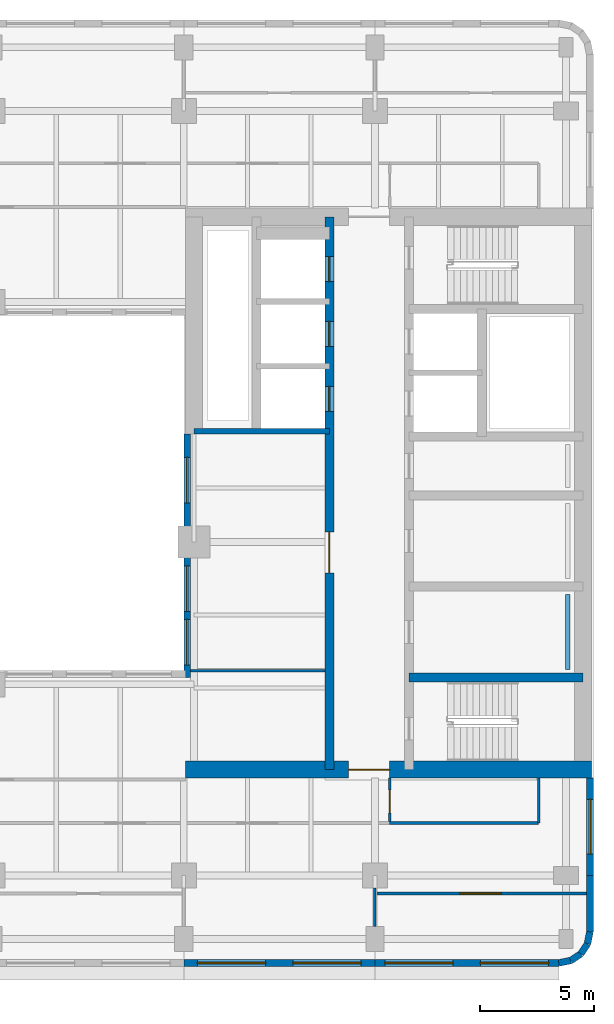
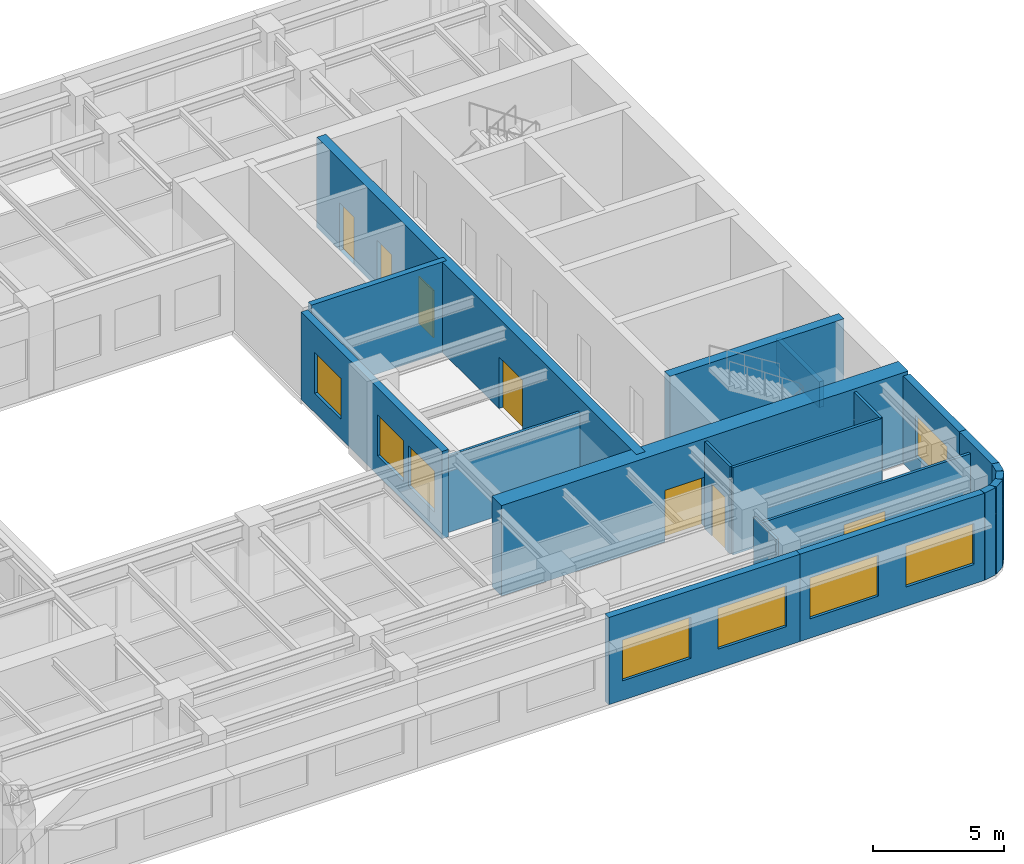
# One storey, part 5 of 11: 20 walls, 8 windows, 7 doors, 15 openings.
"""IFC4 building model written with IfcOpenShell, lengths in metres."""

from ifc_helpers import new_model, si_unit, direction, frame, frame_2d, origin, place, context, subcontext, project, spatial, rectangle, extrude, material, layer, layer_set, type_object, element, fill, save


model = new_model("IFC4")

# Units and contexts
model_context = context("Model", 3, precision=1e-05, world=origin(), true_north=direction((0.0, 1.0)))
body_context = subcontext(model_context, "Body", "Model", "MODEL_VIEW")
ifc_project = project(units=[si_unit("LENGTHUNIT", "METRE"), si_unit("AREAUNIT", "SQUARE_METRE"), si_unit("VOLUMEUNIT", "CUBIC_METRE"), si_unit("PLANEANGLEUNIT", "RADIAN"), si_unit("MASSUNIT", "GRAM", prefix="KILO")], contexts=[model_context])

# Site, building, storey
site_placement = place(None, origin())
site = spatial("IfcSite", under=ifc_project, at=site_placement, CompositionType="ELEMENT")
building_placement = place(site_placement, origin())
building = spatial("IfcBuilding", under=site, at=building_placement, Name="Claustro Exchange Tower", CompositionType="ELEMENT")
storey_placement = place(building_placement, frame((0.0, 0.0, 190.199951171875)))
storey = spatial("IfcBuildingStorey", under=building, at=storey_placement, Name="L43", CompositionType="ELEMENT", Elevation=190.199951171875)

# Wall
ifc_material_1 = material(Name="Laminated glass in aluminium frame", Category="aluminium")
ifc_layer_1 = layer(ifc_material_1, 0.1201171875)
ifc_layer_set_1 = layer_set([ifc_layer_1], Name="Laminated glass in aluminium frame")
wall_type_1 = type_object("IfcWallType", Name="P2 120 glazed partition", PredefinedType="PARTITIONING", material=ifc_layer_set_1)
wall_1_placement = place(storey_placement, frame((33.89794921875, 17.39990234375, 0.0), z_axis=(0.0, 0.0, 1.0), x_axis=(1.0, 0.0, 0.0)))
element("IfcWall", 1, at=wall_1_placement, inside=storey, type_object=wall_type_1, Name="Partition P2 L43", PredefinedType="PARTITIONING", context=body_context, shape_type="SweptSolid", body=[
    extrude(rectangle(XDim=5.904052734375, YDim=0.1201171875, at=frame_2d((2.9521484375, 0.0))), origin(), (0.0, 0.0, 1.0), 3.550048828125),
])

# Wall, opening, door
wall_2_placement = place(storey_placement, frame((42.0, 7.60009765625, 0.0), z_axis=(0.0, 0.0, 1.0), x_axis=(1.0, 0.0, 0.0)))
wall_2 = element("IfcWall", 2, at=wall_2_placement, inside=storey, type_object=wall_type_1, Name="Partition P2 L43", PredefinedType="PARTITIONING", context=body_context, shape_type="SweptSolid", body=[
    extrude(rectangle(XDim=9.302001953125, YDim=0.1201171875, at=frame_2d((4.65087890625, 0.0))), origin(), (0.0, 0.0, 1.0), 3.56005859375),
])
opening_1_placement = place(wall_2_placement, frame((3.75, 0.0, 0.0)))
opening_1 = element("IfcOpeningElement", 3, at=opening_1_placement, cuts=wall_2, Name="Opening D2", PredefinedType="OPENING", context=body_context, shape_type="SweptSolid", body=[
    extrude(rectangle(XDim=1.800048828125, YDim=2.199951171875, at=frame_2d((0.89990234375, 1.10009765625))), frame((0.0, 0.070068359375, 0.0), z_axis=(0.0, -1.0, 0.0), x_axis=(1.0, 0.0, 0.0)), (0.0, 0.0, 1.0), 0.14013671875),
])
ifc_material_2 = material(Name="Timber door, oak veneer", Category="wood")
door_type_1 = type_object("IfcDoorType", Name="D2 1800 x 2200 double door", OperationType="DOUBLE_DOOR_SINGLE_SWING", PredefinedType="DOOR", material=ifc_material_2)
door_1_placement = place(opening_1_placement, frame((1.800048828125, 0.0, 0.0), z_axis=(0.0, 0.0, 1.0), x_axis=(-1.0, 0.0, 0.0)))
door_1 = element("IfcDoor", 4, at=door_1_placement, inside=storey, type_object=door_type_1, Name="Double door D2 L43", OperationType="DOUBLE_DOOR_SINGLE_SWING", OverallHeight=2.199951171875, OverallWidth=1.800048828125, PredefinedType="DOOR", context=body_context, shape_type="SweptSolid", body=[
    extrude(rectangle(XDim=1.800048828125, YDim=2.199951171875, at=frame_2d((0.89990234375, 1.10009765625))), frame((0.0, 0.02490234375, 0.0), z_axis=(0.0, -1.0, 0.0), x_axis=(1.0, 0.0, 0.0)), (0.0, 0.0, 1.0), 0.050048828125),
])
fill(opening_1, door_1)

# Wall
wall_3_placement = place(storey_placement, frame((42.0, 6.14892578125, 0.0), z_axis=(0.0, 0.0, 1.0), x_axis=(0.0, 1.0, 0.0)))
element("IfcWall", 5, at=wall_3_placement, inside=storey, type_object=wall_type_1, Name="Partition P2 L43", PredefinedType="PARTITIONING", context=body_context, shape_type="SweptSolid", body=[
    extrude(rectangle(XDim=1.703125, YDim=0.1201171875, at=frame_2d((0.8515625, 0.0))), origin(), (0.0, 0.0, 1.0), 3.68994140625),
])

# Wall, opening, door
wall_4_placement = place(storey_placement, frame((42.64990234375, 10.758056640625, 0.0), z_axis=(0.0, 0.0, 1.0), x_axis=(0.0, 1.0, 0.0)))
wall_4 = element("IfcWall", 6, at=wall_4_placement, inside=storey, type_object=wall_type_1, Name="Partition P2 L43", PredefinedType="PARTITIONING", context=body_context, shape_type="SweptSolid", body=[
    extrude(rectangle(XDim=1.91796875, YDim=0.1201171875, at=frame_2d((0.958984375, 0.0))), origin(), (0.0, 0.0, 1.0), 4.050048828125),
])
opening_2_placement = place(wall_4_placement, frame((0.39208984375, 0.0, 0.0)))
opening_2 = element("IfcOpeningElement", 7, at=opening_2_placement, cuts=wall_4, Name="Opening D7", PredefinedType="OPENING", context=body_context, shape_type="SweptSolid", body=[
    extrude(rectangle(XDim=1.0, YDim=2.39990234375, at=frame_2d((0.5, 1.199951171875))), frame((0.0, 0.070068359375, 0.0), z_axis=(0.0, -1.0, 0.0), x_axis=(1.0, 0.0, 0.0)), (0.0, 0.0, 1.0), 0.14013671875),
])
ifc_material_3 = material(Name="Glass door in aluminium frame", Category="aluminium")
door_type_2 = type_object("IfcDoorType", Name="D7 1000 x 2400 glazed door", OperationType="SINGLE_SWING_LEFT", PredefinedType="DOOR", material=ifc_material_3)
door_2_placement = place(opening_2_placement, frame((1.0, 0.0, 0.0), z_axis=(0.0, 0.0, 1.0), x_axis=(-1.0, 0.0, 0.0)))
door_2 = element("IfcDoor", 8, at=door_2_placement, inside=storey, type_object=door_type_2, Name="Door D7 L43", OperationType="SINGLE_SWING_RIGHT", OverallHeight=2.39990234375, OverallWidth=1.0, PredefinedType="DOOR", context=body_context, shape_type="SweptSolid", body=[
    extrude(rectangle(XDim=1.0, YDim=2.39990234375, at=frame_2d((0.5, 1.199951171875))), frame((0.0, 0.02490234375, 0.0), z_axis=(0.0, -1.0, 0.0), x_axis=(1.0, 0.0, 0.0)), (0.0, 0.0, 1.0), 0.050048828125),
])
fill(opening_2, door_2)

# Walls
wall_5_placement = place(storey_placement, frame((42.64794921875, 10.699951171875, 0.0), z_axis=(0.0, 0.0, 1.0), x_axis=(1.0, 0.0, 0.0)))
element("IfcWall", 9, at=wall_5_placement, inside=storey, type_object=wall_type_1, Name="Partition P2 L43", PredefinedType="PARTITIONING", context=body_context, shape_type="SweptSolid", body=[
    extrude(rectangle(XDim=6.552001953125, YDim=0.1201171875, at=frame_2d((3.27587890625, 0.0))), origin(), (0.0, 0.0, 1.0), 4.050048828125),
])
wall_6_placement = place(storey_placement, frame((49.199951171875, 10.699951171875, 0.0), z_axis=(0.0, 0.0, 1.0), x_axis=(0.0, 1.0, 0.0)))
element("IfcWall", 10, at=wall_6_placement, inside=storey, type_object=wall_type_1, Name="Partition P2 L43", PredefinedType="PARTITIONING", context=body_context, shape_type="SweptSolid", body=[
    extrude(rectangle(XDim=1.97607421875, YDim=0.1201171875, at=frame_2d((0.988037109375, 0.0))), origin(), (0.0, 0.0, 1.0), 4.050048828125),
])

# Wall, openings, windows
ifc_material_4 = material(Name="Concrete HA-40 (C40/50), precast, white cement, acid-etched", Category="concrete")
ifc_layer_2 = layer(ifc_material_4, 0.300048828125)
ifc_layer_set_2 = layer_set([ifc_layer_2], Name="Concrete HA-40 (C40/50), precast, white cement, acid-etched")
wall_type_2 = type_object("IfcWallType", Name="PC1 300 precast concrete pier panel", PredefinedType="SOLIDWALL", material=ifc_layer_set_2)
wall_7_placement = place(storey_placement, frame((50.085205078125, 4.550048828125, 0.0), z_axis=(0.0, 0.0, 1.0), x_axis=(-1.0, 0.0, 0.0)))
wall_7 = element("IfcWall", 11, at=wall_7_placement, inside=storey, type_object=wall_type_2, Name="Precast pier panel PC1 L43", PredefinedType="SOLIDWALL", context=body_context, shape_type="SweptSolid", body=[
    extrude(rectangle(XDim=8.085205078125, YDim=0.300048828125, at=frame_2d((4.04248046875, 0.0))), origin(), (0.0, 0.0, 1.0), 4.050048828125),
])
opening_3_placement = place(wall_7_placement, frame((0.442626953125, 0.0, 0.89990234375)))
opening_3 = element("IfcOpeningElement", 12, at=opening_3_placement, cuts=wall_7, Name="Opening W1", PredefinedType="OPENING", context=body_context, shape_type="SweptSolid", body=[
    extrude(rectangle(XDim=3.0, YDim=1.89990234375, at=frame_2d((1.5, 0.949951171875))), frame((0.0, 0.159912109375, 0.0), z_axis=(0.0, -1.0, 0.0), x_axis=(1.0, 0.0, 0.0)), (0.0, 0.0, 1.0), 0.320068359375),
])
opening_4_placement = place(wall_7_placement, frame((4.642578125, 0.0, 0.89990234375)))
opening_4 = element("IfcOpeningElement", 13, at=opening_4_placement, cuts=wall_7, Name="Opening W1", PredefinedType="OPENING", context=body_context, shape_type="SweptSolid", body=[
    extrude(rectangle(XDim=3.0, YDim=1.89990234375, at=frame_2d((1.5, 0.949951171875))), frame((0.0, 0.159912109375, 0.0), z_axis=(0.0, -1.0, 0.0), x_axis=(1.0, 0.0, 0.0)), (0.0, 0.0, 1.0), 0.320068359375),
])
ifc_material_5 = material(Name="Aluminium frame, clear double glazing", Category="aluminium")
window_type_1 = type_object("IfcWindowType", Name="W1 3000 x 1900 window", PartitioningType="SINGLE_PANEL", PredefinedType="WINDOW", material=ifc_material_5)
window_1_placement = place(opening_3_placement, origin())
window_1 = element("IfcWindow", 14, at=window_1_placement, inside=storey, type_object=window_type_1, Name="Window W1 L43", OverallHeight=1.89990234375, OverallWidth=3.0, PartitioningType="SINGLE_PANEL", PredefinedType="WINDOW", context=body_context, shape_type="SweptSolid", body=[
    extrude(rectangle(XDim=3.0, YDim=1.89990234375, at=frame_2d((1.5, 0.949951171875))), frame((0.0, 0.030029296875, 0.0), z_axis=(0.0, -1.0, 0.0), x_axis=(1.0, 0.0, 0.0)), (0.0, 0.0, 1.0), 0.06005859375),
])
fill(opening_3, window_1)
window_2_placement = place(opening_4_placement, origin())
window_2 = element("IfcWindow", 15, at=window_2_placement, inside=storey, type_object=window_type_1, Name="Window W1 L43", OverallHeight=1.89990234375, OverallWidth=3.0, PartitioningType="SINGLE_PANEL", PredefinedType="WINDOW", context=body_context, shape_type="SweptSolid", body=[
    extrude(rectangle(XDim=3.0, YDim=1.89990234375, at=frame_2d((1.5, 0.949951171875))), frame((0.0, 0.030029296875, 0.0), z_axis=(0.0, -1.0, 0.0), x_axis=(1.0, 0.0, 0.0)), (0.0, 0.0, 1.0), 0.06005859375),
])
fill(opening_4, window_2)

wall_8_placement = place(storey_placement, frame((42.0, 4.550048828125, 0.0), z_axis=(0.0, 0.0, 1.0), x_axis=(-1.0, 0.0, 0.0)))
wall_8 = element("IfcWall", 16, at=wall_8_placement, inside=storey, type_object=wall_type_2, Name="Precast pier panel PC1 L43", PredefinedType="SOLIDWALL", context=body_context, shape_type="SweptSolid", body=[
    extrude(rectangle(XDim=8.39990234375, YDim=0.300048828125, at=frame_2d((4.199951171875, 0.0))), origin(), (0.0, 0.0, 1.0), 4.050048828125),
])
opening_5_placement = place(wall_8_placement, frame((0.60009765625, 0.0, 0.89990234375)))
opening_5 = element("IfcOpeningElement", 17, at=opening_5_placement, cuts=wall_8, Name="Opening W1", PredefinedType="OPENING", context=body_context, shape_type="SweptSolid", body=[
    extrude(rectangle(XDim=3.0, YDim=1.89990234375, at=frame_2d((1.5, 0.949951171875))), frame((0.0, 0.159912109375, 0.0), z_axis=(0.0, -1.0, 0.0), x_axis=(1.0, 0.0, 0.0)), (0.0, 0.0, 1.0), 0.320068359375),
])
opening_6_placement = place(wall_8_placement, frame((4.800048828125, 0.0, 0.89990234375)))
opening_6 = element("IfcOpeningElement", 18, at=opening_6_placement, cuts=wall_8, Name="Opening W1", PredefinedType="OPENING", context=body_context, shape_type="SweptSolid", body=[
    extrude(rectangle(XDim=3.0, YDim=1.89990234375, at=frame_2d((1.5, 0.949951171875))), frame((0.0, 0.159912109375, 0.0), z_axis=(0.0, -1.0, 0.0), x_axis=(1.0, 0.0, 0.0)), (0.0, 0.0, 1.0), 0.320068359375),
])
window_3_placement = place(opening_5_placement, origin())
window_3 = element("IfcWindow", 19, at=window_3_placement, inside=storey, type_object=window_type_1, Name="Window W1 L43", OverallHeight=1.89990234375, OverallWidth=3.0, PartitioningType="SINGLE_PANEL", PredefinedType="WINDOW", context=body_context, shape_type="SweptSolid", body=[
    extrude(rectangle(XDim=3.0, YDim=1.89990234375, at=frame_2d((1.5, 0.949951171875))), frame((0.0, 0.030029296875, 0.0), z_axis=(0.0, -1.0, 0.0), x_axis=(1.0, 0.0, 0.0)), (0.0, 0.0, 1.0), 0.06005859375),
])
fill(opening_5, window_3)
window_4_placement = place(opening_6_placement, origin())
window_4 = element("IfcWindow", 20, at=window_4_placement, inside=storey, type_object=window_type_1, Name="Window W1 L43", OverallHeight=1.89990234375, OverallWidth=3.0, PartitioningType="SINGLE_PANEL", PredefinedType="WINDOW", context=body_context, shape_type="SweptSolid", body=[
    extrude(rectangle(XDim=3.0, YDim=1.89990234375, at=frame_2d((1.5, 0.949951171875))), frame((0.0, 0.030029296875, 0.0), z_axis=(0.0, -1.0, 0.0), x_axis=(1.0, 0.0, 0.0)), (0.0, 0.0, 1.0), 0.06005859375),
])
fill(opening_6, window_4)

# Wall, opening, window
wall_9_placement = place(storey_placement, frame((51.449951171875, 12.675048828125, 0.0), z_axis=(0.0, 0.0, 1.0), x_axis=(0.0, -1.0, 0.0)))
wall_9 = element("IfcWall", 21, at=wall_9_placement, inside=storey, type_object=wall_type_2, Name="Precast pier panel PC1 L43", PredefinedType="SOLIDWALL", context=body_context, shape_type="SweptSolid", body=[
    extrude(rectangle(XDim=4.275146484375, YDim=0.300048828125, at=frame_2d((2.1376953125, 0.0))), origin(), (0.0, 0.0, 1.0), 4.050048828125),
])
opening_7_placement = place(wall_9_placement, frame((0.9375, 0.0, 0.89990234375)))
opening_7 = element("IfcOpeningElement", 22, at=opening_7_placement, cuts=wall_9, Name="Opening W2", PredefinedType="OPENING", context=body_context, shape_type="SweptSolid", body=[
    extrude(rectangle(XDim=2.39990234375, YDim=1.89990234375, at=frame_2d((1.199951171875, 0.949951171875))), frame((0.0, 0.159912109375, 0.0), z_axis=(0.0, -1.0, 0.0), x_axis=(1.0, 0.0, 0.0)), (0.0, 0.0, 1.0), 0.320068359375),
])
ifc_material_6 = material(Name="Aluminium frame, clear double glazing", Category="aluminium")
window_type_2 = type_object("IfcWindowType", Name="W2 2400 x 1900 window", PartitioningType="SINGLE_PANEL", PredefinedType="WINDOW", material=ifc_material_6)
window_5_placement = place(opening_7_placement, origin())
window_5 = element("IfcWindow", 23, at=window_5_placement, inside=storey, type_object=window_type_2, Name="Window W2 L43", OverallHeight=1.89990234375, OverallWidth=2.39990234375, PartitioningType="SINGLE_PANEL", PredefinedType="WINDOW", context=body_context, shape_type="SweptSolid", body=[
    extrude(rectangle(XDim=2.39990234375, YDim=1.89990234375, at=frame_2d((1.199951171875, 0.949951171875))), frame((0.0, 0.030029296875, 0.0), z_axis=(0.0, -1.0, 0.0), x_axis=(1.0, 0.0, 0.0)), (0.0, 0.0, 1.0), 0.06005859375),
])
fill(opening_7, window_5)

# Walls
wall_10_placement = place(storey_placement, frame((51.449951171875, 8.39990234375, 0.0), z_axis=(0.0, 0.0, 1.0), x_axis=(0.0, -1.0, 0.0)))
element("IfcWall", 24, at=wall_10_placement, inside=storey, type_object=wall_type_2, Name="Precast pier panel PC1 L43", PredefinedType="SOLIDWALL", context=body_context, shape_type="SweptSolid", body=[
    extrude(rectangle(XDim=2.485107421875, YDim=0.300048828125, at=frame_2d((1.24267578125, 0.0))), origin(), (0.0, 0.0, 1.0), 4.050048828125),
])
wall_11_placement = place(storey_placement, frame((51.449951171875, 5.914794921875, 0.0), z_axis=(0.0, 0.0, 1.0), x_axis=(-0.195073962632, -0.980788534345, 0.0)))
element("IfcWall", 25, at=wall_11_placement, inside=storey, type_object=wall_type_2, Name="Precast pier panel PC1 L43", PredefinedType="SOLIDWALL", context=body_context, shape_type="SweptSolid", body=[
    extrude(rectangle(XDim=0.540771484375, YDim=0.300048828125, at=frame_2d((0.2705078125, 0.0))), origin(), (0.0, 0.0, 1.0), 4.050048828125),
])
for number, where, z_axis, x_axis, name in (
    (26, (51.344482421875, 5.384521484375, 0.0), (0.0, 0.0, 1.0), (-0.555557463938, -0.831478144188, 0.0), "Precast pier panel PC1 L43"),
    (27, (51.052490234375, 4.947509765625, 0.0), (0.0, 0.0, 1.0), (-0.831478144188, -0.555557463938, 0.0), "Precast pier panel PC1 L43"),
):
    element("IfcWall", number, at=place(storey_placement, frame(where, z_axis=z_axis, x_axis=x_axis)), inside=storey, type_object=wall_type_2, Name=name, PredefinedType="SOLIDWALL", context=body_context, shape_type="SweptSolid", body=[
        extrude(rectangle(XDim=0.525634765625, YDim=0.300048828125, at=frame_2d((0.2626953125, 0.0))), origin(), (0.0, 0.0, 1.0), 4.050048828125),
    ])
wall_12_placement = place(storey_placement, frame((50.615478515625, 4.655517578125, 0.0), z_axis=(0.0, 0.0, 1.0), x_axis=(-0.980788534345, -0.195073962632, 0.0)))
element("IfcWall", 28, at=wall_12_placement, inside=storey, type_object=wall_type_2, Name="Precast pier panel PC1 L43", PredefinedType="SOLIDWALL", context=body_context, shape_type="SweptSolid", body=[
    extrude(rectangle(XDim=0.540771484375, YDim=0.300048828125, at=frame_2d((0.2705078125, 0.0))), origin(), (0.0, 0.0, 1.0), 4.050048828125),
])

# Wall, openings, windows
wall_13_placement = place(storey_placement, frame((33.75, 17.10009765625, 0.0), z_axis=(0.0, 0.0, 1.0), x_axis=(0.0, 1.0, 0.0)))
wall_13 = element("IfcWall", 29, at=wall_13_placement, inside=storey, type_object=wall_type_2, Name="Precast pier panel PC1 L43", PredefinedType="SOLIDWALL", context=body_context, shape_type="SweptSolid", body=[
    extrude(rectangle(XDim=10.699951171875, YDim=0.300048828125, at=frame_2d((5.35009765625, 0.0))), origin(), (0.0, 0.0, 1.0), 4.050048828125),
])
opening_8_placement = place(wall_13_placement, frame((0.550048828125, 0.0, 0.89990234375)))
opening_8 = element("IfcOpeningElement", 30, at=opening_8_placement, cuts=wall_13, Name="Opening W4", PredefinedType="OPENING", context=body_context, shape_type="SweptSolid", body=[
    extrude(rectangle(XDim=2.0, YDim=1.89990234375, at=frame_2d((1.0, 0.949951171875))), frame((0.0, 0.159912109375, 0.0), z_axis=(0.0, -1.0, 0.0), x_axis=(1.0, 0.0, 0.0)), (0.0, 0.0, 1.0), 0.320068359375),
])
opening_9_placement = place(wall_13_placement, frame((2.89990234375, 0.0, 0.89990234375)))
opening_9 = element("IfcOpeningElement", 31, at=opening_9_placement, cuts=wall_13, Name="Opening W4", PredefinedType="OPENING", context=body_context, shape_type="SweptSolid", body=[
    extrude(rectangle(XDim=2.0, YDim=1.89990234375, at=frame_2d((1.0, 0.949951171875))), frame((0.0, 0.159912109375, 0.0), z_axis=(0.0, -1.0, 0.0), x_axis=(1.0, 0.0, 0.0)), (0.0, 0.0, 1.0), 0.320068359375),
])
opening_10_placement = place(wall_13_placement, frame((7.675048828125, 0.0, 0.89990234375)))
opening_10 = element("IfcOpeningElement", 32, at=opening_10_placement, cuts=wall_13, Name="Opening W4", PredefinedType="OPENING", context=body_context, shape_type="SweptSolid", body=[
    extrude(rectangle(XDim=2.0, YDim=1.89990234375, at=frame_2d((1.0, 0.949951171875))), frame((0.0, 0.159912109375, 0.0), z_axis=(0.0, -1.0, 0.0), x_axis=(1.0, 0.0, 0.0)), (0.0, 0.0, 1.0), 0.320068359375),
])
ifc_material_7 = material(Name="Aluminium frame, clear double glazing", Category="aluminium")
window_type_3 = type_object("IfcWindowType", Name="W4 2000 x 1900 light well window", PartitioningType="SINGLE_PANEL", PredefinedType="WINDOW", material=ifc_material_7)
window_6_placement = place(opening_8_placement, origin())
window_6 = element("IfcWindow", 33, at=window_6_placement, inside=storey, type_object=window_type_3, Name="Window W4 L43", OverallHeight=1.89990234375, OverallWidth=2.0, PartitioningType="SINGLE_PANEL", PredefinedType="WINDOW", context=body_context, shape_type="SweptSolid", body=[
    extrude(rectangle(XDim=2.0, YDim=1.89990234375, at=frame_2d((1.0, 0.949951171875))), frame((0.0, 0.030029296875, 0.0), z_axis=(0.0, -1.0, 0.0), x_axis=(1.0, 0.0, 0.0)), (0.0, 0.0, 1.0), 0.06005859375),
])
fill(opening_8, window_6)
window_7_placement = place(opening_9_placement, origin())
window_7 = element("IfcWindow", 34, at=window_7_placement, inside=storey, type_object=window_type_3, Name="Window W4 L43", OverallHeight=1.89990234375, OverallWidth=2.0, PartitioningType="SINGLE_PANEL", PredefinedType="WINDOW", context=body_context, shape_type="SweptSolid", body=[
    extrude(rectangle(XDim=2.0, YDim=1.89990234375, at=frame_2d((1.0, 0.949951171875))), frame((0.0, 0.030029296875, 0.0), z_axis=(0.0, -1.0, 0.0), x_axis=(1.0, 0.0, 0.0)), (0.0, 0.0, 1.0), 0.06005859375),
])
fill(opening_9, window_7)
window_8_placement = place(opening_10_placement, origin())
window_8 = element("IfcWindow", 35, at=window_8_placement, inside=storey, type_object=window_type_3, Name="Window W4 L43", OverallHeight=1.89990234375, OverallWidth=2.0, PartitioningType="SINGLE_PANEL", PredefinedType="WINDOW", context=body_context, shape_type="SweptSolid", body=[
    extrude(rectangle(XDim=2.0, YDim=1.89990234375, at=frame_2d((1.0, 0.949951171875))), frame((0.0, 0.030029296875, 0.0), z_axis=(0.0, -1.0, 0.0), x_axis=(1.0, 0.0, 0.0)), (0.0, 0.0, 1.0), 0.06005859375),
])
fill(opening_10, window_8)

# Wall
ifc_material_8 = material(Name="Gypsum board on steel studs, tiled", Category="steel")
ifc_layer_3 = layer(ifc_material_8, 0.199951171875)
ifc_layer_set_3 = layer_set([ifc_layer_3], Name="Gypsum board on steel studs, tiled")
wall_type_3 = type_object("IfcWallType", Name="PW1 200 WC duct wall", PredefinedType="PLUMBINGWALL", material=ifc_layer_set_3)
wall_14_placement = place(storey_placement, frame((50.47509765625, 17.449951171875, 0.0), z_axis=(0.0, 0.0, 1.0), x_axis=(0.0, 1.0, 0.0)))
element("IfcWall", 36, at=wall_14_placement, inside=storey, type_object=wall_type_3, Name="WC duct wall PW1 L43", PredefinedType="PLUMBINGWALL", context=body_context, shape_type="SweptSolid", body=[
    extrude(rectangle(XDim=3.300048828125, YDim=0.199951171875, at=frame_2d((1.64990234375, 0.0))), origin(), (0.0, 0.0, 1.0), 1.199951171875),
])

# Wall, opening, door
ifc_material_9 = material(Name="Concrete HA-70 (C70/85)", Category="concrete")
ifc_layer_4 = layer(ifc_material_9, 0.75)
ifc_layer_set_4 = layer_set([ifc_layer_4], Name="Concrete HA-70 (C70/85)")
wall_type_4 = type_object("IfcWallType", Name="SW2 750 core shear wall", PredefinedType="SHEAR", material=ifc_layer_set_4)
wall_15_placement = place(storey_placement, frame((33.675048828125, 13.050048828125, 0.0), z_axis=(0.0, 0.0, 1.0), x_axis=(1.0, 0.0, 0.0)))
wall_15 = element("IfcWall", 37, at=wall_15_placement, inside=storey, type_object=wall_type_4, Name="Core wall SW2 E core S face L43", PredefinedType="SHEAR", context=body_context, shape_type="SweptSolid", body=[
    extrude(rectangle(XDim=17.849853515625, YDim=0.75, at=frame_2d((8.9248046875, 0.0))), origin(), (0.0, 0.0, 1.0), 4.199951171875),
])
opening_11_placement = place(wall_15_placement, frame((7.175048828125, 0.0, 0.0)))
opening_11 = element("IfcOpeningElement", 38, at=opening_11_placement, cuts=wall_15, Name="Opening D3", PredefinedType="OPENING", context=body_context, shape_type="SweptSolid", body=[
    extrude(rectangle(XDim=1.800048828125, YDim=2.39990234375, at=frame_2d((0.89990234375, 1.199951171875))), frame((0.0, 0.385009765625, 0.0), z_axis=(0.0, -1.0, 0.0), x_axis=(1.0, 0.0, 0.0)), (0.0, 0.0, 1.0), 0.77001953125),
])
ifc_material_10 = material(Name="Steel fire door, painted", Category="steel")
door_type_3 = type_object("IfcDoorType", Name="D3 1800 x 2400 fire-rated lobby double door", OperationType="DOUBLE_DOOR_SINGLE_SWING", PredefinedType="DOOR", material=ifc_material_10)
door_3_placement = place(opening_11_placement, origin())
door_3 = element("IfcDoor", 39, at=door_3_placement, inside=storey, type_object=door_type_3, Name="Lift lobby door D3 L43", OperationType="DOUBLE_DOOR_SINGLE_SWING", OverallHeight=2.39990234375, OverallWidth=1.800048828125, PredefinedType="DOOR", context=body_context, shape_type="SweptSolid", body=[
    extrude(rectangle(XDim=1.800048828125, YDim=2.39990234375, at=frame_2d((0.89990234375, 1.199951171875))), frame((0.0, 0.02490234375, 0.0), z_axis=(0.0, -1.0, 0.0), x_axis=(1.0, 0.0, 0.0)), (0.0, 0.0, 1.0), 0.050048828125),
])
fill(opening_11, door_3)

# Wall, openings, doors
ifc_material_11 = material(Name="Concrete HA-50 (C50/60)", Category="concrete")
ifc_layer_5 = layer(ifc_material_11, 0.39990234375)
ifc_layer_set_5 = layer_set([ifc_layer_5], Name="Concrete HA-50 (C50/60)")
wall_type_5 = type_object("IfcWallType", Name="SW4 400 internal core wall", PredefinedType="SHEAR", material=ifc_layer_set_5)
wall_16_placement = place(storey_placement, frame((40.0, 13.050048828125, 0.0), z_axis=(0.0, 0.0, 1.0), x_axis=(0.0, 1.0, 0.0)))
wall_16 = element("IfcWall", 40, at=wall_16_placement, inside=storey, type_object=wall_type_5, Name="Internal core wall SW4 E core L43", PredefinedType="SHEAR", context=body_context, shape_type="SweptSolid", body=[
    extrude(rectangle(XDim=24.300048828125, YDim=0.39990234375, at=frame_2d((12.14990234375, 0.0))), origin(), (0.0, 0.0, 1.0), 4.199951171875),
])
opening_12_placement = place(wall_16_placement, frame((15.75, 0.0, 0.0)))
opening_12 = element("IfcOpeningElement", 41, at=opening_12_placement, cuts=wall_16, Name="Opening LD", PredefinedType="OPENING", context=body_context, shape_type="SweptSolid", body=[
    extrude(rectangle(XDim=1.10009765625, YDim=2.199951171875, at=frame_2d((0.550048828125, 1.10009765625))), frame((0.0, 0.2099609375, 0.0), z_axis=(0.0, -1.0, 0.0), x_axis=(1.0, 0.0, 0.0)), (0.0, 0.0, 1.0), 0.419921875),
])
opening_13_placement = place(wall_16_placement, frame((18.60009765625, 0.0, 0.0)))
opening_13 = element("IfcOpeningElement", 42, at=opening_13_placement, cuts=wall_16, Name="Opening LD", PredefinedType="OPENING", context=body_context, shape_type="SweptSolid", body=[
    extrude(rectangle(XDim=1.10009765625, YDim=2.199951171875, at=frame_2d((0.550048828125, 1.10009765625))), frame((0.0, 0.2099609375, 0.0), z_axis=(0.0, -1.0, 0.0), x_axis=(1.0, 0.0, 0.0)), (0.0, 0.0, 1.0), 0.419921875),
])
opening_14_placement = place(wall_16_placement, frame((21.449951171875, 0.0, 0.0)))
opening_14 = element("IfcOpeningElement", 43, at=opening_14_placement, cuts=wall_16, Name="Opening LD", PredefinedType="OPENING", context=body_context, shape_type="SweptSolid", body=[
    extrude(rectangle(XDim=1.10009765625, YDim=2.199951171875, at=frame_2d((0.550048828125, 1.10009765625))), frame((0.0, 0.2099609375, 0.0), z_axis=(0.0, -1.0, 0.0), x_axis=(1.0, 0.0, 0.0)), (0.0, 0.0, 1.0), 0.419921875),
])
opening_15_placement = place(wall_16_placement, frame((8.64990234375, 0.0, 0.0)))
opening_15 = element("IfcOpeningElement", 44, at=opening_15_placement, cuts=wall_16, Name="Opening D3", PredefinedType="OPENING", context=body_context, shape_type="SweptSolid", body=[
    extrude(rectangle(XDim=1.800048828125, YDim=2.39990234375, at=frame_2d((0.89990234375, 1.199951171875))), frame((0.0, 0.2099609375, 0.0), z_axis=(0.0, -1.0, 0.0), x_axis=(1.0, 0.0, 0.0)), (0.0, 0.0, 1.0), 0.419921875),
])
door_4_placement = place(opening_15_placement, origin())
door_4 = element("IfcDoor", 45, at=door_4_placement, inside=storey, type_object=door_type_3, Name="Core zone door D3 L43", OperationType="DOUBLE_DOOR_SINGLE_SWING", OverallHeight=2.39990234375, OverallWidth=1.800048828125, PredefinedType="DOOR", context=body_context, shape_type="SweptSolid", body=[
    extrude(rectangle(XDim=1.800048828125, YDim=2.39990234375, at=frame_2d((0.89990234375, 1.199951171875))), frame((0.0, 0.02490234375, 0.0), z_axis=(0.0, -1.0, 0.0), x_axis=(1.0, 0.0, 0.0)), (0.0, 0.0, 1.0), 0.050048828125),
])
fill(opening_15, door_4)
ifc_material_12 = material(Name="Stainless steel sliding door", Category="steel")
door_type_4 = type_object("IfcDoorType", Name="LD 1100 x 2200 lift landing door", OperationType="DOUBLE_DOOR_SLIDING", PredefinedType="DOOR", material=ifc_material_12)
door_5_placement = place(opening_12_placement, origin())
door_5 = element("IfcDoor", 46, at=door_5_placement, inside=storey, type_object=door_type_4, Name="Lift landing door LHE1 LD L43", OperationType="DOUBLE_DOOR_SLIDING", OverallHeight=2.199951171875, OverallWidth=1.10009765625, PredefinedType="DOOR", context=body_context, shape_type="SweptSolid", body=[
    extrude(rectangle(XDim=1.10009765625, YDim=2.199951171875, at=frame_2d((0.550048828125, 1.10009765625))), frame((0.0, 0.02490234375, 0.0), z_axis=(0.0, -1.0, 0.0), x_axis=(1.0, 0.0, 0.0)), (0.0, 0.0, 1.0), 0.050048828125),
])
fill(opening_12, door_5)
door_6_placement = place(opening_13_placement, origin())
door_6 = element("IfcDoor", 47, at=door_6_placement, inside=storey, type_object=door_type_4, Name="Lift landing door LHE2 LD L43", OperationType="DOUBLE_DOOR_SLIDING", OverallHeight=2.199951171875, OverallWidth=1.10009765625, PredefinedType="DOOR", context=body_context, shape_type="SweptSolid", body=[
    extrude(rectangle(XDim=1.10009765625, YDim=2.199951171875, at=frame_2d((0.550048828125, 1.10009765625))), frame((0.0, 0.02490234375, 0.0), z_axis=(0.0, -1.0, 0.0), x_axis=(1.0, 0.0, 0.0)), (0.0, 0.0, 1.0), 0.050048828125),
])
fill(opening_13, door_6)
door_7_placement = place(opening_14_placement, origin())
door_7 = element("IfcDoor", 48, at=door_7_placement, inside=storey, type_object=door_type_4, Name="Lift landing door LSE1 LD L43", OperationType="DOUBLE_DOOR_SLIDING", OverallHeight=2.199951171875, OverallWidth=1.10009765625, PredefinedType="DOOR", context=body_context, shape_type="SweptSolid", body=[
    extrude(rectangle(XDim=1.10009765625, YDim=2.199951171875, at=frame_2d((0.550048828125, 1.10009765625))), frame((0.0, 0.02490234375, 0.0), z_axis=(0.0, -1.0, 0.0), x_axis=(1.0, 0.0, 0.0)), (0.0, 0.0, 1.0), 0.050048828125),
])
fill(opening_14, door_7)

# Walls
wall_17_placement = place(storey_placement, frame((51.14990234375, 17.10009765625, 0.0), z_axis=(0.0, 0.0, 1.0), x_axis=(-1.0, 0.0, 0.0)))
element("IfcWall", 49, at=wall_17_placement, inside=storey, type_object=wall_type_5, Name="Internal core wall SW4 E core L43", PredefinedType="SHEAR", context=body_context, shape_type="SweptSolid", body=[
    extrude(rectangle(XDim=7.64990234375, YDim=0.39990234375, at=frame_2d((3.824951171875, 0.0))), origin(), (0.0, 0.0, 1.0), 4.199951171875),
])
ifc_material_13 = material(Name="Concrete HA-50 (C50/60)", Category="concrete")
ifc_layer_6 = layer(ifc_material_13, 0.25)
ifc_layer_set_6 = layer_set([ifc_layer_6], Name="Concrete HA-50 (C50/60)")
wall_type_6 = type_object("IfcWallType", Name="SW5 250 lift shaft divider wall", PredefinedType="SHEAR", material=ifc_layer_set_6)
wall_18_placement = place(storey_placement, frame((40.0, 27.925048828125, 0.0), z_axis=(0.0, 0.0, 1.0), x_axis=(-1.0, 0.0, 0.0)))
element("IfcWall", 50, at=wall_18_placement, inside=storey, type_object=wall_type_6, Name="Core step wall E core L43", PredefinedType="SHEAR", context=body_context, shape_type="SweptSolid", body=[
    extrude(rectangle(XDim=5.949951171875, YDim=0.25, at=frame_2d((2.97509765625, 0.0))), origin(), (0.0, 0.0, 1.0), 4.199951171875),
])

save(model, "model.ifc")
